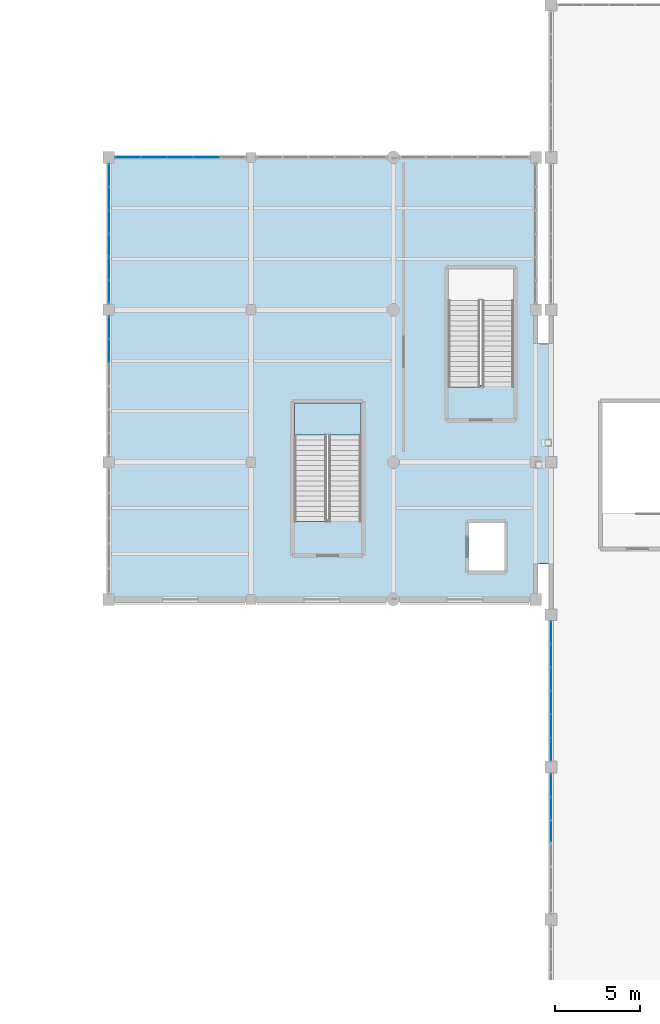
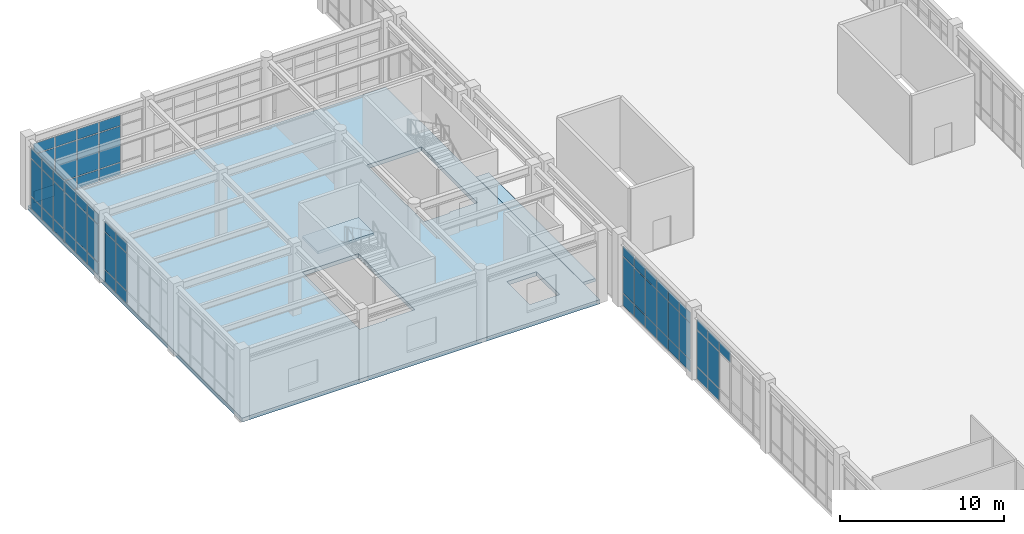
# One storey, part 60 of 80: 61 plates, 3 slabs, 6 elements without a shape of their own.
"""IFC4 building model written with IfcOpenShell, lengths in metres."""

from ifc_helpers import new_model, si_unit, direction, frame, origin, origin_2d, place, context, subcontext, project, spatial, polyline, rectangle, outline, extrude, material, layer, layer_set, type_object, element, aggregate, save


model = new_model("IFC4")

# Units and contexts
model_context = context("Model", 3, precision=1e-05, world=origin(), true_north=direction((0.0, 1.0)))
body_context = subcontext(model_context, "Body", "Model", "MODEL_VIEW")
ifc_project = project(units=[si_unit("LENGTHUNIT", "METRE"), si_unit("AREAUNIT", "SQUARE_METRE"), si_unit("VOLUMEUNIT", "CUBIC_METRE"), si_unit("PLANEANGLEUNIT", "RADIAN"), si_unit("MASSUNIT", "GRAM", prefix="KILO")], contexts=[model_context])

# Site, building, storey
site_placement = place(None, origin())
site = spatial("IfcSite", under=ifc_project, at=site_placement, CompositionType="ELEMENT")
building_placement = place(site_placement, origin())
building = spatial("IfcBuilding", under=site, at=building_placement, Name="Canglan Escarpment Cableway Terminal", CompositionType="ELEMENT")
storey_placement = place(building_placement, frame((0.0, 0.0, 19.199951171875)))
storey = spatial("IfcBuildingStorey", under=building, at=storey_placement, Name="L04", CompositionType="ELEMENT", Elevation=19.199951171875)

# Curtain wall, plates
ifc_material_1 = material(Name="Anodized bronze aluminium and Low-E double glazing", Category="aluminium")
curtain_wall_type_1 = type_object("IfcCurtainWallType", Name="CW-BAY-7750x4525", PredefinedType="NOTDEFINED", material=ifc_material_1)
curtain_wall_1_placement = place(storey_placement, origin())
curtain_wall_1 = element("IfcCurtainWall", 1, at=curtain_wall_1_placement, inside=storey, type_object=curtain_wall_type_1, Name="Classical bay-between-piers glazed curtain wall CW-52", PredefinedType="NOTDEFINED")
ifc_material_2 = material(Name="Double-silver Low-E laminated insulating glass", Category="glass")
ifc_layer_1 = layer(ifc_material_2, 0.02392578125, Name="Double-silver Low-E laminated insulating glass")
ifc_layer_set_1 = layer_set([ifc_layer_1], Name="Double-silver Low-E laminated insulating glass")
plate_type_1 = type_object("IfcPlateType", Name="CWP-01", PredefinedType="CURTAIN_PANEL", material=ifc_layer_set_1)
plate_1_placement = place(storey_placement, frame((117.27490234375, 115.0, 0.05517578125), z_axis=(0.0, 0.0, 1.0), x_axis=(-1.0, 0.0, 0.0)))
plate_1 = element("IfcPlate", 2, at=plate_1_placement, type_object=plate_type_1, Name="CW-52 panel 2.1", PredefinedType="CURTAIN_PANEL", context=body_context, shape_type="SweptSolid", body=[
    extrude(rectangle(XDim=1.489990234375, YDim=0.02392578125, at=origin_2d()), origin(), (0.0, 0.0, 1.0), 0.867431640625),
])
plate_2_placement = place(storey_placement, frame((117.27490234375, 115.0, 0.9775390625), z_axis=(0.0, 0.0, 1.0), x_axis=(-1.0, 0.0, 0.0)))
plate_2 = element("IfcPlate", 3, at=plate_2_placement, type_object=plate_type_1, Name="CW-52 panel 2.2", PredefinedType="CURTAIN_PANEL", context=body_context, shape_type="SweptSolid", body=[
    extrude(rectangle(XDim=1.489990234375, YDim=0.02392578125, at=origin_2d()), origin(), (0.0, 0.0, 1.0), 2.666015625),
])
plate_3_placement = place(storey_placement, frame((117.27490234375, 115.0, 3.698486328125), z_axis=(0.0, 0.0, 1.0), x_axis=(-1.0, 0.0, 0.0)))
plate_3 = element("IfcPlate", 4, at=plate_3_placement, type_object=plate_type_1, Name="CW-52 panel 2.3", PredefinedType="CURTAIN_PANEL", context=body_context, shape_type="SweptSolid", body=[
    extrude(rectangle(XDim=1.489990234375, YDim=0.02392578125, at=origin_2d()), origin(), (0.0, 0.0, 1.0), 0.767578125),
])
plate_4_placement = place(storey_placement, frame((115.72509765625, 115.0, 0.05517578125), z_axis=(0.0, 0.0, 1.0), x_axis=(-1.0, 0.0, 0.0)))
plate_4 = element("IfcPlate", 5, at=plate_4_placement, type_object=plate_type_1, Name="CW-52 panel 3.1", PredefinedType="CURTAIN_PANEL", context=body_context, shape_type="SweptSolid", body=[
    extrude(rectangle(XDim=1.489990234375, YDim=0.02392578125, at=origin_2d()), origin(), (0.0, 0.0, 1.0), 0.867431640625),
])
plate_5_placement = place(storey_placement, frame((115.72509765625, 115.0, 0.9775390625), z_axis=(0.0, 0.0, 1.0), x_axis=(-1.0, 0.0, 0.0)))
plate_5 = element("IfcPlate", 6, at=plate_5_placement, type_object=plate_type_1, Name="CW-52 panel 3.2", PredefinedType="CURTAIN_PANEL", context=body_context, shape_type="SweptSolid", body=[
    extrude(rectangle(XDim=1.489990234375, YDim=0.02392578125, at=origin_2d()), origin(), (0.0, 0.0, 1.0), 2.666015625),
])
plate_6_placement = place(storey_placement, frame((115.72509765625, 115.0, 3.698486328125), z_axis=(0.0, 0.0, 1.0), x_axis=(-1.0, 0.0, 0.0)))
plate_6 = element("IfcPlate", 7, at=plate_6_placement, type_object=plate_type_1, Name="CW-52 panel 3.3", PredefinedType="CURTAIN_PANEL", context=body_context, shape_type="SweptSolid", body=[
    extrude(rectangle(XDim=1.489990234375, YDim=0.02392578125, at=origin_2d()), origin(), (0.0, 0.0, 1.0), 0.767578125),
])
plate_7_placement = place(storey_placement, frame((114.175048828125, 115.0, 0.05517578125), z_axis=(0.0, 0.0, 1.0), x_axis=(-1.0, 0.0, 0.0)))
plate_7 = element("IfcPlate", 8, at=plate_7_placement, type_object=plate_type_1, Name="CW-52 panel 4.1", PredefinedType="CURTAIN_PANEL", context=body_context, shape_type="SweptSolid", body=[
    extrude(rectangle(XDim=1.489990234375, YDim=0.02392578125, at=origin_2d()), origin(), (0.0, 0.0, 1.0), 0.867431640625),
])
plate_8_placement = place(storey_placement, frame((114.175048828125, 115.0, 0.9775390625), z_axis=(0.0, 0.0, 1.0), x_axis=(-1.0, 0.0, 0.0)))
plate_8 = element("IfcPlate", 9, at=plate_8_placement, type_object=plate_type_1, Name="CW-52 panel 4.2", PredefinedType="CURTAIN_PANEL", context=body_context, shape_type="SweptSolid", body=[
    extrude(rectangle(XDim=1.489990234375, YDim=0.02392578125, at=origin_2d()), origin(), (0.0, 0.0, 1.0), 2.666015625),
])
plate_9_placement = place(storey_placement, frame((114.175048828125, 115.0, 3.698486328125), z_axis=(0.0, 0.0, 1.0), x_axis=(-1.0, 0.0, 0.0)))
plate_9 = element("IfcPlate", 10, at=plate_9_placement, type_object=plate_type_1, Name="CW-52 panel 4.3", PredefinedType="CURTAIN_PANEL", context=body_context, shape_type="SweptSolid", body=[
    extrude(rectangle(XDim=1.489990234375, YDim=0.02392578125, at=origin_2d()), origin(), (0.0, 0.0, 1.0), 0.767578125),
])
plate_10_placement = place(storey_placement, frame((112.639892578125, 115.0, 0.05517578125), z_axis=(0.0, 0.0, 1.0), x_axis=(-1.0, 0.0, 0.0)))
plate_10 = element("IfcPlate", 11, at=plate_10_placement, type_object=plate_type_1, Name="CW-52 panel 5.1", PredefinedType="CURTAIN_PANEL", context=body_context, shape_type="SweptSolid", body=[
    extrude(rectangle(XDim=1.4599609375, YDim=0.02392578125, at=origin_2d()), origin(), (0.0, 0.0, 1.0), 0.867431640625),
])
plate_11_placement = place(storey_placement, frame((112.639892578125, 115.0, 0.9775390625), z_axis=(0.0, 0.0, 1.0), x_axis=(-1.0, 0.0, 0.0)))
plate_11 = element("IfcPlate", 12, at=plate_11_placement, type_object=plate_type_1, Name="CW-52 panel 5.2", PredefinedType="CURTAIN_PANEL", context=body_context, shape_type="SweptSolid", body=[
    extrude(rectangle(XDim=1.4599609375, YDim=0.02392578125, at=origin_2d()), origin(), (0.0, 0.0, 1.0), 2.666015625),
])
plate_12_placement = place(storey_placement, frame((112.639892578125, 115.0, 3.698486328125), z_axis=(0.0, 0.0, 1.0), x_axis=(-1.0, 0.0, 0.0)))
plate_12 = element("IfcPlate", 13, at=plate_12_placement, type_object=plate_type_1, Name="CW-52 panel 5.3", PredefinedType="CURTAIN_PANEL", context=body_context, shape_type="SweptSolid", body=[
    extrude(rectangle(XDim=1.4599609375, YDim=0.02392578125, at=origin_2d()), origin(), (0.0, 0.0, 1.0), 0.767578125),
])
aggregate(curtain_wall_1, [plate_1, plate_2, plate_3, plate_4, plate_5, plate_6, plate_7, plate_8, plate_9, plate_10, plate_11, plate_12])

curtain_wall_type_2 = type_object("IfcCurtainWallType", Name="CW-BAY-8300x4625", PredefinedType="NOTDEFINED", material=ifc_material_1)
curtain_wall_2_placement = place(storey_placement, origin())
curtain_wall_2 = element("IfcCurtainWall", 14, at=curtain_wall_2_placement, inside=storey, type_object=curtain_wall_type_2, Name="Classical bay-between-piers glazed curtain wall CW-56", PredefinedType="NOTDEFINED")
ifc_layer_2 = layer(ifc_material_2, 0.028076171875, Name="Double-silver Low-E laminated insulating glass")
ifc_layer_set_2 = layer_set([ifc_layer_2], Name="Double-silver Low-E laminated insulating glass")
plate_type_2 = type_object("IfcPlateType", Name="CWP-02", PredefinedType="CURTAIN_PANEL", material=ifc_layer_set_2)
plate_13_placement = place(storey_placement, frame((111.5, 104.942138671875, 0.06005859375), z_axis=(0.0, 0.0, 1.0), x_axis=(0.0, -1.0, 0.0)))
plate_13 = element("IfcPlate", 15, at=plate_13_placement, type_object=plate_type_2, Name="CW-56 panel 1.1", PredefinedType="CURTAIN_PANEL", context=body_context, shape_type="SweptSolid", body=[
    extrude(rectangle(XDim=1.285888671875, YDim=0.028076171875, at=origin_2d()), origin(), (0.0, 0.0, 1.0), 0.860107421875),
])
plate_14_placement = place(storey_placement, frame((111.5, 104.942138671875, 0.97998046875), z_axis=(0.0, 0.0, 1.0), x_axis=(0.0, -1.0, 0.0)))
plate_14 = element("IfcPlate", 16, at=plate_14_placement, type_object=plate_type_2, Name="CW-56 panel 1.2", PredefinedType="CURTAIN_PANEL", context=body_context, shape_type="SweptSolid", body=[
    extrude(rectangle(XDim=1.285888671875, YDim=0.028076171875, at=origin_2d()), origin(), (0.0, 0.0, 1.0), 2.76708984375),
])
plate_15_placement = place(storey_placement, frame((111.5, 104.942138671875, 3.80712890625), z_axis=(0.0, 0.0, 1.0), x_axis=(0.0, -1.0, 0.0)))
plate_15 = element("IfcPlate", 17, at=plate_15_placement, type_object=plate_type_2, Name="CW-56 panel 1.3", PredefinedType="CURTAIN_PANEL", context=body_context, shape_type="SweptSolid", body=[
    extrude(rectangle(XDim=1.285888671875, YDim=0.028076171875, at=origin_2d()), origin(), (0.0, 0.0, 1.0), 0.760009765625),
])
plate_16_placement = place(storey_placement, frame((111.5, 103.574951171875, 0.06005859375), z_axis=(0.0, 0.0, 1.0), x_axis=(0.0, -1.0, 0.0)))
plate_16 = element("IfcPlate", 18, at=plate_16_placement, type_object=plate_type_2, Name="CW-56 panel 2.1", PredefinedType="CURTAIN_PANEL", context=body_context, shape_type="SweptSolid", body=[
    extrude(rectangle(XDim=1.318359375, YDim=0.028076171875, at=origin_2d()), origin(), (0.0, 0.0, 1.0), 0.860107421875),
])
plate_17_placement = place(storey_placement, frame((111.5, 103.574951171875, 0.97998046875), z_axis=(0.0, 0.0, 1.0), x_axis=(0.0, -1.0, 0.0)))
plate_17 = element("IfcPlate", 19, at=plate_17_placement, type_object=plate_type_2, Name="CW-56 panel 2.2", PredefinedType="CURTAIN_PANEL", context=body_context, shape_type="SweptSolid", body=[
    extrude(rectangle(XDim=1.318359375, YDim=0.028076171875, at=origin_2d()), origin(), (0.0, 0.0, 1.0), 2.76708984375),
])
plate_18_placement = place(storey_placement, frame((111.5, 103.574951171875, 3.80712890625), z_axis=(0.0, 0.0, 1.0), x_axis=(0.0, -1.0, 0.0)))
plate_18 = element("IfcPlate", 20, at=plate_18_placement, type_object=plate_type_2, Name="CW-56 panel 2.3", PredefinedType="CURTAIN_PANEL", context=body_context, shape_type="SweptSolid", body=[
    extrude(rectangle(XDim=1.318359375, YDim=0.028076171875, at=origin_2d()), origin(), (0.0, 0.0, 1.0), 0.760009765625),
])
aggregate(curtain_wall_2, [plate_13, plate_14, plate_15, plate_16, plate_17, plate_18])

curtain_wall_type_3 = type_object("IfcCurtainWallType", Name="CW-BAY-8300x4550", PredefinedType="NOTDEFINED", material=ifc_material_1)
curtain_wall_3_placement = place(storey_placement, origin())
curtain_wall_3 = element("IfcCurtainWall", 21, at=curtain_wall_3_placement, inside=storey, type_object=curtain_wall_type_3, Name="Classical bay-between-piers glazed curtain wall CW-64", PredefinedType="NOTDEFINED")
plate_19_placement = place(storey_placement, frame((137.60009765625, 77.942138671875, 0.06494140625), z_axis=(0.0, 0.0, 1.0), x_axis=(0.0, -1.0, 0.0)))
plate_19 = element("IfcPlate", 22, at=plate_19_placement, type_object=plate_type_2, Name="CW-64 panel 1.1", PredefinedType="CURTAIN_PANEL", context=body_context, shape_type="SweptSolid", body=[
    extrude(rectangle(XDim=1.285888671875, YDim=0.028076171875, at=origin_2d()), origin(), (0.0, 0.0, 1.0), 0.8525390625),
])
plate_20_placement = place(storey_placement, frame((137.60009765625, 77.942138671875, 0.982421875), z_axis=(0.0, 0.0, 1.0), x_axis=(0.0, -1.0, 0.0)))
plate_20 = element("IfcPlate", 23, at=plate_20_placement, type_object=plate_type_2, Name="CW-64 panel 1.2", PredefinedType="CURTAIN_PANEL", context=body_context, shape_type="SweptSolid", body=[
    extrude(rectangle(XDim=1.285888671875, YDim=0.028076171875, at=origin_2d()), origin(), (0.0, 0.0, 1.0), 2.68603515625),
])
plate_21_placement = place(storey_placement, frame((137.60009765625, 77.942138671875, 3.733642578125), z_axis=(0.0, 0.0, 1.0), x_axis=(0.0, -1.0, 0.0)))
plate_21 = element("IfcPlate", 24, at=plate_21_placement, type_object=plate_type_2, Name="CW-64 panel 1.3", PredefinedType="CURTAIN_PANEL", context=body_context, shape_type="SweptSolid", body=[
    extrude(rectangle(XDim=1.285888671875, YDim=0.028076171875, at=origin_2d()), origin(), (0.0, 0.0, 1.0), 0.75244140625),
])
plate_22_placement = place(storey_placement, frame((137.60009765625, 76.574951171875, 0.06494140625), z_axis=(0.0, 0.0, 1.0), x_axis=(0.0, -1.0, 0.0)))
plate_22 = element("IfcPlate", 25, at=plate_22_placement, type_object=plate_type_2, Name="CW-64 panel 2.1", PredefinedType="CURTAIN_PANEL", context=body_context, shape_type="SweptSolid", body=[
    extrude(rectangle(XDim=1.318359375, YDim=0.028076171875, at=origin_2d()), origin(), (0.0, 0.0, 1.0), 0.8525390625),
])
plate_23_placement = place(storey_placement, frame((137.60009765625, 76.574951171875, 0.982421875), z_axis=(0.0, 0.0, 1.0), x_axis=(0.0, -1.0, 0.0)))
plate_23 = element("IfcPlate", 26, at=plate_23_placement, type_object=plate_type_2, Name="CW-64 panel 2.2", PredefinedType="CURTAIN_PANEL", context=body_context, shape_type="SweptSolid", body=[
    extrude(rectangle(XDim=1.318359375, YDim=0.028076171875, at=origin_2d()), origin(), (0.0, 0.0, 1.0), 2.68603515625),
])
plate_24_placement = place(storey_placement, frame((137.60009765625, 76.574951171875, 3.733642578125), z_axis=(0.0, 0.0, 1.0), x_axis=(0.0, -1.0, 0.0)))
plate_24 = element("IfcPlate", 27, at=plate_24_placement, type_object=plate_type_2, Name="CW-64 panel 2.3", PredefinedType="CURTAIN_PANEL", context=body_context, shape_type="SweptSolid", body=[
    extrude(rectangle(XDim=1.318359375, YDim=0.028076171875, at=origin_2d()), origin(), (0.0, 0.0, 1.0), 0.75244140625),
])
plate_25_placement = place(storey_placement, frame((137.60009765625, 75.191650390625, 3.733642578125), z_axis=(0.0, 0.0, 1.0), x_axis=(0.0, -1.0, 0.0)))
plate_25 = element("IfcPlate", 28, at=plate_25_placement, type_object=plate_type_2, Name="CW-64 panel 3.3", PredefinedType="CURTAIN_PANEL", context=body_context, shape_type="SweptSolid", body=[
    extrude(rectangle(XDim=1.318359375, YDim=0.028076171875, at=origin_2d()), origin(), (0.0, 0.0, 1.0), 0.75244140625),
])
aggregate(curtain_wall_3, [plate_19, plate_20, plate_21, plate_22, plate_23, plate_24, plate_25])

curtain_wall_4_placement = place(storey_placement, origin())
curtain_wall_4 = element("IfcCurtainWall", 29, at=curtain_wall_4_placement, inside=storey, type_object=curtain_wall_type_2, Name="Classical bay-between-piers glazed curtain wall CW-56", PredefinedType="NOTDEFINED")
ifc_layer_3 = layer(ifc_material_2, 0.031982421875, Name="Double-silver Low-E laminated insulating glass")
ifc_layer_set_3 = layer_set([ifc_layer_3], Name="Double-silver Low-E laminated insulating glass")
plate_type_3 = type_object("IfcPlateType", Name="CWP-03", PredefinedType="CURTAIN_PANEL", material=ifc_layer_set_3)
plate_26_placement = place(storey_placement, frame((111.5, 113.942138671875, 0.06494140625), z_axis=(0.0, 0.0, 1.0), x_axis=(0.0, -1.0, 0.0)))
plate_26 = element("IfcPlate", 30, at=plate_26_placement, type_object=plate_type_3, Name="CW-56 panel 1.1", PredefinedType="CURTAIN_PANEL", context=body_context, shape_type="SweptSolid", body=[
    extrude(rectangle(XDim=1.285888671875, YDim=0.031982421875, at=origin_2d()), origin(), (0.0, 0.0, 1.0), 0.8525390625),
])
plate_27_placement = place(storey_placement, frame((111.5, 113.942138671875, 0.982421875), z_axis=(0.0, 0.0, 1.0), x_axis=(0.0, -1.0, 0.0)))
plate_27 = element("IfcPlate", 31, at=plate_27_placement, type_object=plate_type_3, Name="CW-56 panel 1.2", PredefinedType="CURTAIN_PANEL", context=body_context, shape_type="SweptSolid", body=[
    extrude(rectangle(XDim=1.285888671875, YDim=0.031982421875, at=origin_2d()), origin(), (0.0, 0.0, 1.0), 2.761962890625),
])
plate_28_placement = place(storey_placement, frame((111.5, 113.942138671875, 3.8095703125), z_axis=(0.0, 0.0, 1.0), x_axis=(0.0, -1.0, 0.0)))
plate_28 = element("IfcPlate", 32, at=plate_28_placement, type_object=plate_type_3, Name="CW-56 panel 1.3", PredefinedType="CURTAIN_PANEL", context=body_context, shape_type="SweptSolid", body=[
    extrude(rectangle(XDim=1.285888671875, YDim=0.031982421875, at=origin_2d()), origin(), (0.0, 0.0, 1.0), 0.75244140625),
])
plate_29_placement = place(storey_placement, frame((111.5, 112.574951171875, 0.06494140625), z_axis=(0.0, 0.0, 1.0), x_axis=(0.0, -1.0, 0.0)))
plate_29 = element("IfcPlate", 33, at=plate_29_placement, type_object=plate_type_3, Name="CW-56 panel 2.1", PredefinedType="CURTAIN_PANEL", context=body_context, shape_type="SweptSolid", body=[
    extrude(rectangle(XDim=1.318359375, YDim=0.031982421875, at=origin_2d()), origin(), (0.0, 0.0, 1.0), 0.8525390625),
])
plate_30_placement = place(storey_placement, frame((111.5, 112.574951171875, 0.982421875), z_axis=(0.0, 0.0, 1.0), x_axis=(0.0, -1.0, 0.0)))
plate_30 = element("IfcPlate", 34, at=plate_30_placement, type_object=plate_type_3, Name="CW-56 panel 2.2", PredefinedType="CURTAIN_PANEL", context=body_context, shape_type="SweptSolid", body=[
    extrude(rectangle(XDim=1.318359375, YDim=0.031982421875, at=origin_2d()), origin(), (0.0, 0.0, 1.0), 2.761962890625),
])
plate_31_placement = place(storey_placement, frame((111.5, 112.574951171875, 3.8095703125), z_axis=(0.0, 0.0, 1.0), x_axis=(0.0, -1.0, 0.0)))
plate_31 = element("IfcPlate", 35, at=plate_31_placement, type_object=plate_type_3, Name="CW-56 panel 2.3", PredefinedType="CURTAIN_PANEL", context=body_context, shape_type="SweptSolid", body=[
    extrude(rectangle(XDim=1.318359375, YDim=0.031982421875, at=origin_2d()), origin(), (0.0, 0.0, 1.0), 0.75244140625),
])
plate_32_placement = place(storey_placement, frame((111.5, 111.191650390625, 0.06494140625), z_axis=(0.0, 0.0, 1.0), x_axis=(0.0, -1.0, 0.0)))
plate_32 = element("IfcPlate", 36, at=plate_32_placement, type_object=plate_type_3, Name="CW-56 panel 3.1", PredefinedType="CURTAIN_PANEL", context=body_context, shape_type="SweptSolid", body=[
    extrude(rectangle(XDim=1.318359375, YDim=0.031982421875, at=origin_2d()), origin(), (0.0, 0.0, 1.0), 0.8525390625),
])
plate_33_placement = place(storey_placement, frame((111.5, 111.191650390625, 0.982421875), z_axis=(0.0, 0.0, 1.0), x_axis=(0.0, -1.0, 0.0)))
plate_33 = element("IfcPlate", 37, at=plate_33_placement, type_object=plate_type_3, Name="CW-56 panel 3.2", PredefinedType="CURTAIN_PANEL", context=body_context, shape_type="SweptSolid", body=[
    extrude(rectangle(XDim=1.318359375, YDim=0.031982421875, at=origin_2d()), origin(), (0.0, 0.0, 1.0), 2.761962890625),
])
plate_34_placement = place(storey_placement, frame((111.5, 111.191650390625, 3.8095703125), z_axis=(0.0, 0.0, 1.0), x_axis=(0.0, -1.0, 0.0)))
plate_34 = element("IfcPlate", 38, at=plate_34_placement, type_object=plate_type_3, Name="CW-56 panel 3.3", PredefinedType="CURTAIN_PANEL", context=body_context, shape_type="SweptSolid", body=[
    extrude(rectangle(XDim=1.318359375, YDim=0.031982421875, at=origin_2d()), origin(), (0.0, 0.0, 1.0), 0.75244140625),
])
plate_35_placement = place(storey_placement, frame((111.5, 109.808349609375, 0.06494140625), z_axis=(0.0, 0.0, 1.0), x_axis=(0.0, -1.0, 0.0)))
plate_35 = element("IfcPlate", 39, at=plate_35_placement, type_object=plate_type_3, Name="CW-56 panel 4.1", PredefinedType="CURTAIN_PANEL", context=body_context, shape_type="SweptSolid", body=[
    extrude(rectangle(XDim=1.318359375, YDim=0.031982421875, at=origin_2d()), origin(), (0.0, 0.0, 1.0), 0.8525390625),
])
plate_36_placement = place(storey_placement, frame((111.5, 109.808349609375, 0.982421875), z_axis=(0.0, 0.0, 1.0), x_axis=(0.0, -1.0, 0.0)))
plate_36 = element("IfcPlate", 40, at=plate_36_placement, type_object=plate_type_3, Name="CW-56 panel 4.2", PredefinedType="CURTAIN_PANEL", context=body_context, shape_type="SweptSolid", body=[
    extrude(rectangle(XDim=1.318359375, YDim=0.031982421875, at=origin_2d()), origin(), (0.0, 0.0, 1.0), 2.761962890625),
])
plate_37_placement = place(storey_placement, frame((111.5, 109.808349609375, 3.8095703125), z_axis=(0.0, 0.0, 1.0), x_axis=(0.0, -1.0, 0.0)))
plate_37 = element("IfcPlate", 41, at=plate_37_placement, type_object=plate_type_3, Name="CW-56 panel 4.3", PredefinedType="CURTAIN_PANEL", context=body_context, shape_type="SweptSolid", body=[
    extrude(rectangle(XDim=1.318359375, YDim=0.031982421875, at=origin_2d()), origin(), (0.0, 0.0, 1.0), 0.75244140625),
])
plate_38_placement = place(storey_placement, frame((111.5, 108.425048828125, 0.06494140625), z_axis=(0.0, 0.0, 1.0), x_axis=(0.0, -1.0, 0.0)))
plate_38 = element("IfcPlate", 42, at=plate_38_placement, type_object=plate_type_3, Name="CW-56 panel 5.1", PredefinedType="CURTAIN_PANEL", context=body_context, shape_type="SweptSolid", body=[
    extrude(rectangle(XDim=1.318359375, YDim=0.031982421875, at=origin_2d()), origin(), (0.0, 0.0, 1.0), 0.8525390625),
])
plate_39_placement = place(storey_placement, frame((111.5, 108.425048828125, 0.982421875), z_axis=(0.0, 0.0, 1.0), x_axis=(0.0, -1.0, 0.0)))
plate_39 = element("IfcPlate", 43, at=plate_39_placement, type_object=plate_type_3, Name="CW-56 panel 5.2", PredefinedType="CURTAIN_PANEL", context=body_context, shape_type="SweptSolid", body=[
    extrude(rectangle(XDim=1.318359375, YDim=0.031982421875, at=origin_2d()), origin(), (0.0, 0.0, 1.0), 2.761962890625),
])
plate_40_placement = place(storey_placement, frame((111.5, 108.425048828125, 3.8095703125), z_axis=(0.0, 0.0, 1.0), x_axis=(0.0, -1.0, 0.0)))
plate_40 = element("IfcPlate", 44, at=plate_40_placement, type_object=plate_type_3, Name="CW-56 panel 5.3", PredefinedType="CURTAIN_PANEL", context=body_context, shape_type="SweptSolid", body=[
    extrude(rectangle(XDim=1.318359375, YDim=0.031982421875, at=origin_2d()), origin(), (0.0, 0.0, 1.0), 0.75244140625),
])
plate_41_placement = place(storey_placement, frame((111.5, 107.057861328125, 0.06494140625), z_axis=(0.0, 0.0, 1.0), x_axis=(0.0, -1.0, 0.0)))
plate_41 = element("IfcPlate", 45, at=plate_41_placement, type_object=plate_type_3, Name="CW-56 panel 6.1", PredefinedType="CURTAIN_PANEL", context=body_context, shape_type="SweptSolid", body=[
    extrude(rectangle(XDim=1.285888671875, YDim=0.031982421875, at=origin_2d()), origin(), (0.0, 0.0, 1.0), 0.8525390625),
])
plate_42_placement = place(storey_placement, frame((111.5, 107.057861328125, 0.982421875), z_axis=(0.0, 0.0, 1.0), x_axis=(0.0, -1.0, 0.0)))
plate_42 = element("IfcPlate", 46, at=plate_42_placement, type_object=plate_type_3, Name="CW-56 panel 6.2", PredefinedType="CURTAIN_PANEL", context=body_context, shape_type="SweptSolid", body=[
    extrude(rectangle(XDim=1.285888671875, YDim=0.031982421875, at=origin_2d()), origin(), (0.0, 0.0, 1.0), 2.761962890625),
])
plate_43_placement = place(storey_placement, frame((111.5, 107.057861328125, 3.8095703125), z_axis=(0.0, 0.0, 1.0), x_axis=(0.0, -1.0, 0.0)))
plate_43 = element("IfcPlate", 47, at=plate_43_placement, type_object=plate_type_3, Name="CW-56 panel 6.3", PredefinedType="CURTAIN_PANEL", context=body_context, shape_type="SweptSolid", body=[
    extrude(rectangle(XDim=1.285888671875, YDim=0.031982421875, at=origin_2d()), origin(), (0.0, 0.0, 1.0), 0.75244140625),
])
aggregate(curtain_wall_4, [plate_26, plate_27, plate_28, plate_29, plate_30, plate_31, plate_32, plate_33, plate_34, plate_35, plate_36, plate_37, plate_38, plate_39, plate_40, plate_41, plate_42, plate_43])

curtain_wall_5_placement = place(storey_placement, origin())
curtain_wall_5 = element("IfcCurtainWall", 48, at=curtain_wall_5_placement, inside=storey, type_object=curtain_wall_type_3, Name="Classical bay-between-piers glazed curtain wall CW-64", PredefinedType="NOTDEFINED")
plate_44_placement = place(storey_placement, frame((137.60009765625, 86.943359375, 0.05517578125), z_axis=(0.0, 0.0, 1.0), x_axis=(0.0, -1.0, 0.0)))
plate_44 = element("IfcPlate", 49, at=plate_44_placement, type_object=plate_type_3, Name="CW-64 panel 1.1", PredefinedType="CURTAIN_PANEL", context=body_context, shape_type="SweptSolid", body=[
    extrude(rectangle(XDim=1.293212890625, YDim=0.031982421875, at=origin_2d()), origin(), (0.0, 0.0, 1.0), 0.867431640625),
])
plate_45_placement = place(storey_placement, frame((137.60009765625, 86.943359375, 0.9775390625), z_axis=(0.0, 0.0, 1.0), x_axis=(0.0, -1.0, 0.0)))
plate_45 = element("IfcPlate", 50, at=plate_45_placement, type_object=plate_type_3, Name="CW-64 panel 1.2", PredefinedType="CURTAIN_PANEL", context=body_context, shape_type="SweptSolid", body=[
    extrude(rectangle(XDim=1.293212890625, YDim=0.031982421875, at=origin_2d()), origin(), (0.0, 0.0, 1.0), 2.696044921875),
])
plate_46_placement = place(storey_placement, frame((137.60009765625, 86.943359375, 3.728515625), z_axis=(0.0, 0.0, 1.0), x_axis=(0.0, -1.0, 0.0)))
plate_46 = element("IfcPlate", 51, at=plate_46_placement, type_object=plate_type_3, Name="CW-64 panel 1.3", PredefinedType="CURTAIN_PANEL", context=body_context, shape_type="SweptSolid", body=[
    extrude(rectangle(XDim=1.293212890625, YDim=0.031982421875, at=origin_2d()), origin(), (0.0, 0.0, 1.0), 0.767578125),
])
plate_47_placement = place(storey_placement, frame((137.60009765625, 85.574951171875, 0.05517578125), z_axis=(0.0, 0.0, 1.0), x_axis=(0.0, -1.0, 0.0)))
plate_47 = element("IfcPlate", 52, at=plate_47_placement, type_object=plate_type_3, Name="CW-64 panel 2.1", PredefinedType="CURTAIN_PANEL", context=body_context, shape_type="SweptSolid", body=[
    extrude(rectangle(XDim=1.3232421875, YDim=0.031982421875, at=origin_2d()), origin(), (0.0, 0.0, 1.0), 0.867431640625),
])
plate_48_placement = place(storey_placement, frame((137.60009765625, 85.574951171875, 0.9775390625), z_axis=(0.0, 0.0, 1.0), x_axis=(0.0, -1.0, 0.0)))
plate_48 = element("IfcPlate", 53, at=plate_48_placement, type_object=plate_type_3, Name="CW-64 panel 2.2", PredefinedType="CURTAIN_PANEL", context=body_context, shape_type="SweptSolid", body=[
    extrude(rectangle(XDim=1.3232421875, YDim=0.031982421875, at=origin_2d()), origin(), (0.0, 0.0, 1.0), 2.696044921875),
])
plate_49_placement = place(storey_placement, frame((137.60009765625, 85.574951171875, 3.728515625), z_axis=(0.0, 0.0, 1.0), x_axis=(0.0, -1.0, 0.0)))
plate_49 = element("IfcPlate", 54, at=plate_49_placement, type_object=plate_type_3, Name="CW-64 panel 2.3", PredefinedType="CURTAIN_PANEL", context=body_context, shape_type="SweptSolid", body=[
    extrude(rectangle(XDim=1.3232421875, YDim=0.031982421875, at=origin_2d()), origin(), (0.0, 0.0, 1.0), 0.767578125),
])
plate_50_placement = place(storey_placement, frame((137.60009765625, 84.191650390625, 0.05517578125), z_axis=(0.0, 0.0, 1.0), x_axis=(0.0, -1.0, 0.0)))
plate_50 = element("IfcPlate", 55, at=plate_50_placement, type_object=plate_type_3, Name="CW-64 panel 3.1", PredefinedType="CURTAIN_PANEL", context=body_context, shape_type="SweptSolid", body=[
    extrude(rectangle(XDim=1.3232421875, YDim=0.031982421875, at=origin_2d()), origin(), (0.0, 0.0, 1.0), 0.867431640625),
])
plate_51_placement = place(storey_placement, frame((137.60009765625, 84.191650390625, 0.9775390625), z_axis=(0.0, 0.0, 1.0), x_axis=(0.0, -1.0, 0.0)))
plate_51 = element("IfcPlate", 56, at=plate_51_placement, type_object=plate_type_3, Name="CW-64 panel 3.2", PredefinedType="CURTAIN_PANEL", context=body_context, shape_type="SweptSolid", body=[
    extrude(rectangle(XDim=1.3232421875, YDim=0.031982421875, at=origin_2d()), origin(), (0.0, 0.0, 1.0), 2.696044921875),
])
plate_52_placement = place(storey_placement, frame((137.60009765625, 84.191650390625, 3.728515625), z_axis=(0.0, 0.0, 1.0), x_axis=(0.0, -1.0, 0.0)))
plate_52 = element("IfcPlate", 57, at=plate_52_placement, type_object=plate_type_3, Name="CW-64 panel 3.3", PredefinedType="CURTAIN_PANEL", context=body_context, shape_type="SweptSolid", body=[
    extrude(rectangle(XDim=1.3232421875, YDim=0.031982421875, at=origin_2d()), origin(), (0.0, 0.0, 1.0), 0.767578125),
])
plate_53_placement = place(storey_placement, frame((137.60009765625, 82.808349609375, 0.05517578125), z_axis=(0.0, 0.0, 1.0), x_axis=(0.0, -1.0, 0.0)))
plate_53 = element("IfcPlate", 58, at=plate_53_placement, type_object=plate_type_3, Name="CW-64 panel 4.1", PredefinedType="CURTAIN_PANEL", context=body_context, shape_type="SweptSolid", body=[
    extrude(rectangle(XDim=1.3232421875, YDim=0.031982421875, at=origin_2d()), origin(), (0.0, 0.0, 1.0), 0.867431640625),
])
plate_54_placement = place(storey_placement, frame((137.60009765625, 82.808349609375, 0.9775390625), z_axis=(0.0, 0.0, 1.0), x_axis=(0.0, -1.0, 0.0)))
plate_54 = element("IfcPlate", 59, at=plate_54_placement, type_object=plate_type_3, Name="CW-64 panel 4.2", PredefinedType="CURTAIN_PANEL", context=body_context, shape_type="SweptSolid", body=[
    extrude(rectangle(XDim=1.3232421875, YDim=0.031982421875, at=origin_2d()), origin(), (0.0, 0.0, 1.0), 2.696044921875),
])
plate_55_placement = place(storey_placement, frame((137.60009765625, 82.808349609375, 3.728515625), z_axis=(0.0, 0.0, 1.0), x_axis=(0.0, -1.0, 0.0)))
plate_55 = element("IfcPlate", 60, at=plate_55_placement, type_object=plate_type_3, Name="CW-64 panel 4.3", PredefinedType="CURTAIN_PANEL", context=body_context, shape_type="SweptSolid", body=[
    extrude(rectangle(XDim=1.3232421875, YDim=0.031982421875, at=origin_2d()), origin(), (0.0, 0.0, 1.0), 0.767578125),
])
plate_56_placement = place(storey_placement, frame((137.60009765625, 81.425048828125, 0.05517578125), z_axis=(0.0, 0.0, 1.0), x_axis=(0.0, -1.0, 0.0)))
plate_56 = element("IfcPlate", 61, at=plate_56_placement, type_object=plate_type_3, Name="CW-64 panel 5.1", PredefinedType="CURTAIN_PANEL", context=body_context, shape_type="SweptSolid", body=[
    extrude(rectangle(XDim=1.3232421875, YDim=0.031982421875, at=origin_2d()), origin(), (0.0, 0.0, 1.0), 0.867431640625),
])
plate_57_placement = place(storey_placement, frame((137.60009765625, 81.425048828125, 0.9775390625), z_axis=(0.0, 0.0, 1.0), x_axis=(0.0, -1.0, 0.0)))
plate_57 = element("IfcPlate", 62, at=plate_57_placement, type_object=plate_type_3, Name="CW-64 panel 5.2", PredefinedType="CURTAIN_PANEL", context=body_context, shape_type="SweptSolid", body=[
    extrude(rectangle(XDim=1.3232421875, YDim=0.031982421875, at=origin_2d()), origin(), (0.0, 0.0, 1.0), 2.696044921875),
])
plate_58_placement = place(storey_placement, frame((137.60009765625, 81.425048828125, 3.728515625), z_axis=(0.0, 0.0, 1.0), x_axis=(0.0, -1.0, 0.0)))
plate_58 = element("IfcPlate", 63, at=plate_58_placement, type_object=plate_type_3, Name="CW-64 panel 5.3", PredefinedType="CURTAIN_PANEL", context=body_context, shape_type="SweptSolid", body=[
    extrude(rectangle(XDim=1.3232421875, YDim=0.031982421875, at=origin_2d()), origin(), (0.0, 0.0, 1.0), 0.767578125),
])
plate_59_placement = place(storey_placement, frame((137.60009765625, 80.056640625, 0.05517578125), z_axis=(0.0, 0.0, 1.0), x_axis=(0.0, -1.0, 0.0)))
plate_59 = element("IfcPlate", 64, at=plate_59_placement, type_object=plate_type_3, Name="CW-64 panel 6.1", PredefinedType="CURTAIN_PANEL", context=body_context, shape_type="SweptSolid", body=[
    extrude(rectangle(XDim=1.293212890625, YDim=0.031982421875, at=origin_2d()), origin(), (0.0, 0.0, 1.0), 0.867431640625),
])
plate_60_placement = place(storey_placement, frame((137.60009765625, 80.056640625, 0.9775390625), z_axis=(0.0, 0.0, 1.0), x_axis=(0.0, -1.0, 0.0)))
plate_60 = element("IfcPlate", 65, at=plate_60_placement, type_object=plate_type_3, Name="CW-64 panel 6.2", PredefinedType="CURTAIN_PANEL", context=body_context, shape_type="SweptSolid", body=[
    extrude(rectangle(XDim=1.293212890625, YDim=0.031982421875, at=origin_2d()), origin(), (0.0, 0.0, 1.0), 2.696044921875),
])
plate_61_placement = place(storey_placement, frame((137.60009765625, 80.056640625, 3.728515625), z_axis=(0.0, 0.0, 1.0), x_axis=(0.0, -1.0, 0.0)))
plate_61 = element("IfcPlate", 66, at=plate_61_placement, type_object=plate_type_3, Name="CW-64 panel 6.3", PredefinedType="CURTAIN_PANEL", context=body_context, shape_type="SweptSolid", body=[
    extrude(rectangle(XDim=1.293212890625, YDim=0.031982421875, at=origin_2d()), origin(), (0.0, 0.0, 1.0), 0.767578125),
])
aggregate(curtain_wall_5, [plate_44, plate_45, plate_46, plate_47, plate_48, plate_49, plate_50, plate_51, plate_52, plate_53, plate_54, plate_55, plate_56, plate_57, plate_58, plate_59, plate_60, plate_61])

# Slabs
ifc_material_3 = material(Name="Concrete C40", Category="concrete")
ifc_layer_4 = layer(ifc_material_3, 0.300048828125, Name="Concrete C40")
ifc_layer_set_4 = layer_set([ifc_layer_4], Name="Concrete C40")
slab_type_1 = type_object("IfcSlabType", Name="SLB-FLR-300", PredefinedType="FLOOR", material=ifc_layer_set_4)
slab_1_placement = place(storey_placement, frame((0.0, 0.0, -0.300048828125)))
element("IfcSlab", 67, at=slab_1_placement, inside=storey, type_object=slab_type_1, Name="Suspended structural floor slab L04", PredefinedType="FLOOR", context=body_context, shape_type="SweptSolid", body=[
    extrude(outline(polyline([(111.5, 88.89990234375), (136.699951171875, 88.89990234375), (136.699951171875, 115.0), (111.5, 115.0), (111.5, 88.89990234375)]), holes=[polyline([(132.75, 90.60009765625), (132.75, 93.39990234375), (134.85009765625, 93.39990234375), (134.85009765625, 90.60009765625), (132.75, 90.60009765625)]), polyline([(122.449951171875, 100.5), (124.35009765625, 100.5), (124.3701171875, 100.5), (126.39990234375, 100.5), (126.39990234375, 93.6201171875), (124.3701171875, 93.6201171875), (124.3701171875, 93.506103515625), (122.449951171875, 93.506103515625), (122.449951171875, 100.5)]), polyline([(131.550048828125, 108.39990234375), (133.39990234375, 108.39990234375), (133.419921875, 108.39990234375), (135.39990234375, 108.39990234375), (135.39990234375, 101.570068359375), (133.419921875, 101.570068359375), (133.419921875, 101.4560546875), (131.550048828125, 101.4560546875), (131.550048828125, 108.39990234375)])]), origin(), (0.0, 0.0, 1.0), 0.300048828125),
])
ifc_layer_5 = layer(ifc_material_3, 0.219970703125, Name="Concrete C40")
ifc_layer_set_5 = layer_set([ifc_layer_5], Name="Concrete C40")
slab_type_2 = type_object("IfcSlabType", Name="SLB-LINK-220", PredefinedType="FLOOR", material=ifc_layer_set_5)
slab_2_placement = place(storey_placement, frame((0.0, 0.0, -0.219970703125)))
element("IfcSlab", 68, at=slab_2_placement, inside=storey, type_object=slab_type_2, Name="Movement-joint concourse link slab MJ-S1", PredefinedType="FLOOR", context=body_context, shape_type="SweptSolid", body=[
    extrude(outline(polyline([(137.594970703125, 104.0), (137.594970703125, 91.0), (136.705078125, 91.0), (136.705078125, 104.0), (137.594970703125, 104.0)])), origin(), (0.0, 0.0, 1.0), 0.219970703125),
])

# Stair, slab
stair_type = type_object("IfcStairType", Name="STR-DOGLEG-1900", PredefinedType="HALF_TURN_STAIR", material=ifc_material_3)
stair_placement = place(storey_placement, origin())
stair = element("IfcStair", 69, at=stair_placement, inside=storey, type_object=stair_type, Name="L04 Protected Exit Stair ST-12", PredefinedType="HALF_TURN_STAIR")
ifc_layer_6 = layer(ifc_material_3, 0.199951171875, Name="Concrete C40")
ifc_layer_set_6 = layer_set([ifc_layer_6], Name="Concrete C40")
slab_type_3 = type_object("IfcSlabType", Name="SLB-STAIR-LAND-200", PredefinedType="LANDING", material=ifc_layer_set_6)
slab_3_placement = place(storey_placement, frame((0.0, 0.0, 2.5)))
slab_3 = element("IfcSlab", 70, at=slab_3_placement, type_object=slab_type_3, Name="ST-12 landing 1", PredefinedType="LANDING", context=body_context, shape_type="SweptSolid", body=[
    extrude(outline(polyline([(126.39990234375, 98.60009765625), (126.39990234375, 100.5), (122.449951171875, 100.5), (122.449951171875, 98.60009765625), (126.39990234375, 98.60009765625)])), origin(), (0.0, 0.0, 1.0), 0.199951171875),
])
aggregate(stair, [slab_3])

save(model, "model.ifc")
